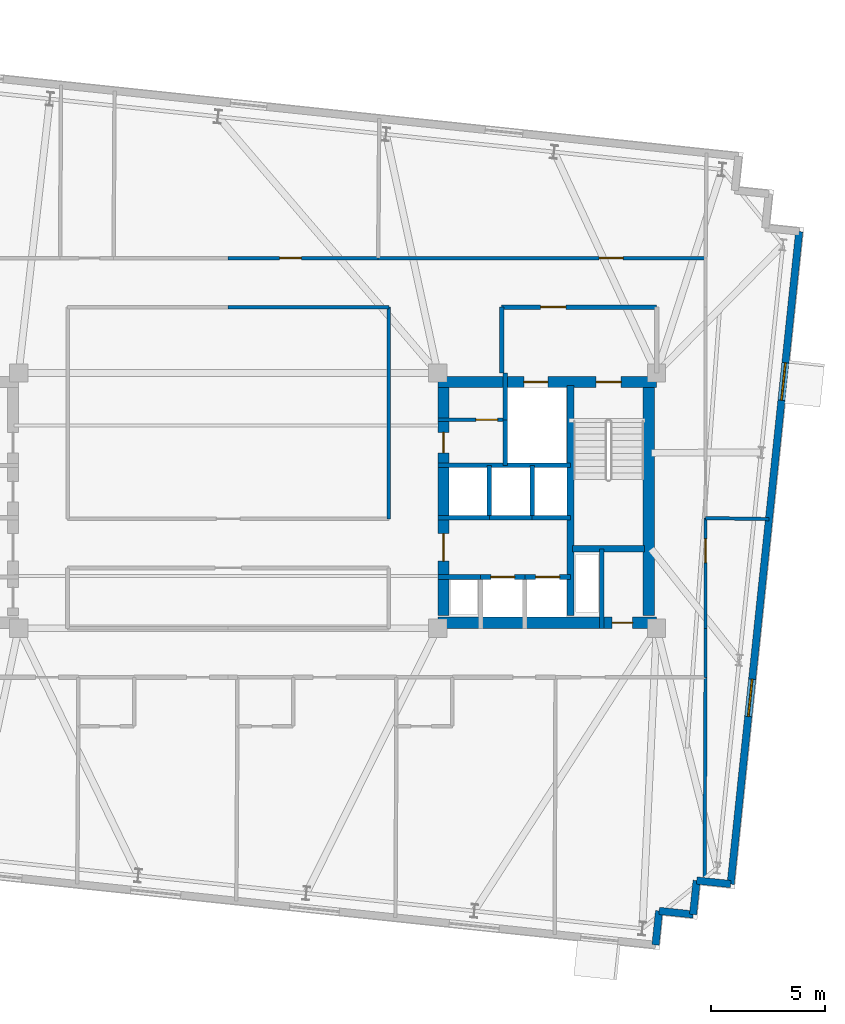
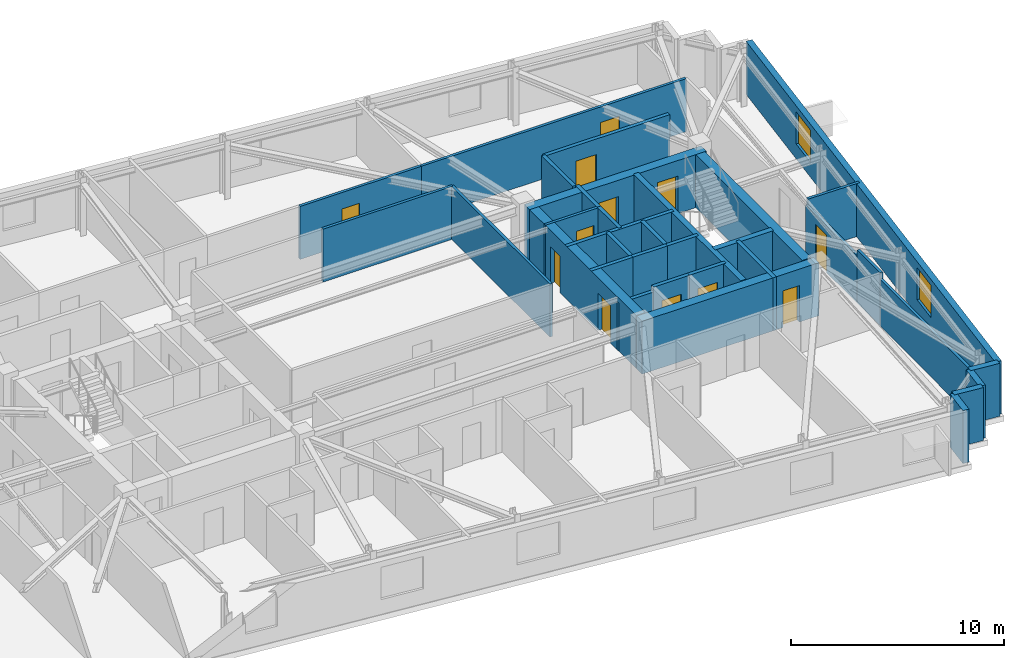
# One storey, part 8 of 11: 34 walls, 12 doors, 2 windows, 14 openings.
"""IFC4 building model written with IfcOpenShell, lengths in metres."""

from ifc_helpers import new_model, si_unit, direction, frame, frame_2d, origin, place, context, subcontext, project, spatial, rectangle, extrude, material, layer, layer_set, type_object, element, fill, save


model = new_model("IFC4")

# Units and contexts
model_context = context("Model", 3, precision=1e-05, world=origin(), true_north=direction((0.0, 1.0)))
body_context = subcontext(model_context, "Body", "Model", "MODEL_VIEW")
ifc_project = project(units=[si_unit("LENGTHUNIT", "METRE"), si_unit("AREAUNIT", "SQUARE_METRE"), si_unit("VOLUMEUNIT", "CUBIC_METRE"), si_unit("PLANEANGLEUNIT", "RADIAN"), si_unit("MASSUNIT", "GRAM", prefix="KILO")], contexts=[model_context])

# Site, building, storey
site_placement = place(None, origin())
site = spatial("IfcSite", under=ifc_project, at=site_placement, CompositionType="ELEMENT")
building_placement = place(site_placement, origin())
building = spatial("IfcBuilding", under=site, at=building_placement, Name="Qobustan Lattice House", CompositionType="ELEMENT")
storey_placement = place(building_placement, frame((0.0, 0.0, 216.5)))
storey = spatial("IfcBuildingStorey", under=building, at=storey_placement, Name="L61", CompositionType="ELEMENT", Elevation=216.5)

# Wall, openings, doors
ifc_material_1 = material(Name="Concrete C50/60", Category="concrete")
ifc_layer_1 = layer(ifc_material_1, 0.5)
ifc_layer_set_1 = layer_set([ifc_layer_1], Name="Concrete C50/60")
wall_type_1 = type_object("IfcWallType", Name="WAL-CORE-500", PredefinedType="SHEAR", material=ifc_layer_set_1)
wall_1_placement = place(storey_placement, frame((9.199951171875, 5.2099609375, 0.0), z_axis=(0.0, 0.0, 1.0), x_axis=(1.0, 0.0, 0.0)))
wall_1 = element("IfcWall", 1, at=wall_1_placement, inside=storey, type_object=wall_type_1, Name="L61 split-core shear wall CE-N", PredefinedType="SHEAR", context=body_context, shape_type="SweptSolid", body=[
    extrude(rectangle(XDim=9.60009765625, YDim=0.5, at=frame_2d((4.800048828125, 0.0))), origin(), (0.0, 0.0, 1.0), 3.0400390625),
])
opening_1_placement = place(wall_1_placement, frame((6.949951171875, 0.0, 0.0)))
opening_1 = element("IfcOpeningElement", 2, at=opening_1_placement, cuts=wall_1, Name="Opening SD-01", PredefinedType="OPENING", context=body_context, shape_type="SweptSolid", body=[
    extrude(rectangle(XDim=1.10009765625, YDim=2.14990234375, at=frame_2d((0.550048828125, 1.074951171875))), frame((0.0, 0.260009765625, 0.0), z_axis=(0.0, -1.0, 0.0), x_axis=(1.0, 0.0, 0.0)), (0.0, 0.0, 1.0), 0.52001953125),
])
opening_2_placement = place(wall_1_placement, frame((3.77490234375, 0.0, 0.0)))
opening_2 = element("IfcOpeningElement", 3, at=opening_2_placement, cuts=wall_1, Name="Opening LD-01", PredefinedType="OPENING", context=body_context, shape_type="SweptSolid", body=[
    extrude(rectangle(XDim=1.050048828125, YDim=2.10009765625, at=frame_2d((0.52490234375, 1.050048828125))), frame((0.0, 0.260009765625, 0.0), z_axis=(0.0, -1.0, 0.0), x_axis=(1.0, 0.0, 0.0)), (0.0, 0.0, 1.0), 0.52001953125),
])
ifc_material_2 = material(Name="Persian walnut timber and steel frame door", Category="steel")
door_type_1 = type_object("IfcDoorType", Name="DOR-LIFT-LD-1050x2100", OperationType="NOTDEFINED", PredefinedType="DOOR", material=ifc_material_2)
door_1_placement = place(opening_2_placement, origin())
door_1 = element("IfcDoor", 4, at=door_1_placement, inside=storey, type_object=door_type_1, Name="L61 firefighting lift FF-E landing door", OperationType="DOUBLE_DOOR_SLIDING", OverallHeight=2.10009765625, OverallWidth=1.050048828125, PredefinedType="DOOR", context=body_context, shape_type="SweptSolid", body=[
    extrude(rectangle(XDim=1.050048828125, YDim=2.10009765625, at=frame_2d((0.52490234375, 1.050048828125))), frame((0.0, 0.02490234375, 0.0), z_axis=(0.0, -1.0, 0.0), x_axis=(1.0, 0.0, 0.0)), (0.0, 0.0, 1.0), 0.050048828125),
])
fill(opening_2, door_1)
ifc_material_3 = material(Name="Persian walnut timber and steel frame door", Category="steel")
door_type_2 = type_object("IfcDoorType", Name="DOR-STAIR-FD-1100x2150", OperationType="NOTDEFINED", PredefinedType="DOOR", material=ifc_material_3)
door_2_placement = place(opening_1_placement, origin())
door_2 = element("IfcDoor", 5, at=door_2_placement, inside=storey, type_object=door_type_2, Name="L61 exit stair ST-E1 fire door", OperationType="SINGLE_SWING_LEFT", OverallHeight=2.14990234375, OverallWidth=1.10009765625, PredefinedType="DOOR", context=body_context, shape_type="SweptSolid", body=[
    extrude(rectangle(XDim=1.10009765625, YDim=2.14990234375, at=frame_2d((0.550048828125, 1.074951171875))), frame((0.0, 0.02490234375, 0.0), z_axis=(0.0, -1.0, 0.0), x_axis=(1.0, 0.0, 0.0)), (0.0, 0.0, 1.0), 0.050048828125),
])
fill(opening_1, door_2)

# Wall, opening, door
wall_2_placement = place(storey_placement, frame((9.199951171875, -5.35009765625, 0.0), z_axis=(0.0, 0.0, 1.0), x_axis=(1.0, 0.0, 0.0)))
wall_2 = element("IfcWall", 6, at=wall_2_placement, inside=storey, type_object=wall_type_1, Name="L61 split-core shear wall CE-S", PredefinedType="SHEAR", context=body_context, shape_type="SweptSolid", body=[
    extrude(rectangle(XDim=9.60009765625, YDim=0.5, at=frame_2d((4.800048828125, 0.0))), origin(), (0.0, 0.0, 1.0), 3.0400390625),
])
opening_3_placement = place(wall_2_placement, frame((7.64990234375, 0.0, 0.0)))
opening_3 = element("IfcOpeningElement", 7, at=opening_3_placement, cuts=wall_2, Name="Opening RD-01", PredefinedType="OPENING", context=body_context, shape_type="SweptSolid", body=[
    extrude(rectangle(XDim=0.89990234375, YDim=2.10009765625, at=frame_2d((0.449951171875, 1.050048828125))), frame((0.0, 0.260009765625, 0.0), z_axis=(0.0, -1.0, 0.0), x_axis=(1.0, 0.0, 0.0)), (0.0, 0.0, 1.0), 0.52001953125),
])
ifc_material_4 = material(Name="Persian walnut timber and steel frame door", Category="steel")
door_type_3 = type_object("IfcDoorType", Name="DOR-RISER-FD-900x2100", OperationType="NOTDEFINED", PredefinedType="DOOR", material=ifc_material_4)
door_3_placement = place(opening_3_placement, origin())
door_3 = element("IfcDoor", 8, at=door_3_placement, inside=storey, type_object=door_type_3, Name="L61 core service riser access door E", OperationType="SINGLE_SWING_LEFT", OverallHeight=2.10009765625, OverallWidth=0.89990234375, PredefinedType="DOOR", context=body_context, shape_type="SweptSolid", body=[
    extrude(rectangle(XDim=0.89990234375, YDim=2.10009765625, at=frame_2d((0.449951171875, 1.050048828125))), frame((0.0, 0.02490234375, 0.0), z_axis=(0.0, -1.0, 0.0), x_axis=(1.0, 0.0, 0.0)), (0.0, 0.0, 1.0), 0.050048828125),
])
fill(opening_3, door_3)

# Wall, openings, doors
wall_3_placement = place(storey_placement, frame((9.449951171875, -5.050048828125, 0.0), z_axis=(0.0, 0.0, 1.0), x_axis=(0.0, 1.0, 0.0)))
wall_3 = element("IfcWall", 9, at=wall_3_placement, inside=storey, type_object=wall_type_1, Name="L61 split-core shear wall CE-W", PredefinedType="SHEAR", context=body_context, shape_type="SweptSolid", body=[
    extrude(rectangle(XDim=10.10009765625, YDim=0.5, at=frame_2d((5.050048828125, 0.0))), origin(), (0.0, 0.0, 1.0), 3.0400390625),
])
opening_4_placement = place(wall_3_placement, frame((7.14990234375, 0.0, 0.0)))
opening_4 = element("IfcOpeningElement", 10, at=opening_4_placement, cuts=wall_3, Name="Opening RD-01", PredefinedType="OPENING", context=body_context, shape_type="SweptSolid", body=[
    extrude(rectangle(XDim=0.89990234375, YDim=2.10009765625, at=frame_2d((0.449951171875, 1.050048828125))), frame((0.0, 0.260009765625, 0.0), z_axis=(0.0, -1.0, 0.0), x_axis=(1.0, 0.0, 0.0)), (0.0, 0.0, 1.0), 0.52001953125),
])
opening_5_placement = place(wall_3_placement, frame((2.39990234375, 0.0, 0.0)))
opening_5 = element("IfcOpeningElement", 11, at=opening_5_placement, cuts=wall_3, Name="Opening FD-01", PredefinedType="OPENING", context=body_context, shape_type="SweptSolid", body=[
    extrude(rectangle(XDim=1.199951171875, YDim=2.14990234375, at=frame_2d((0.60009765625, 1.074951171875))), frame((0.0, 0.260009765625, 0.0), z_axis=(0.0, -1.0, 0.0), x_axis=(1.0, 0.0, 0.0)), (0.0, 0.0, 1.0), 0.52001953125),
])
ifc_material_5 = material(Name="Persian walnut timber and steel frame door", Category="steel")
door_type_4 = type_object("IfcDoorType", Name="DOR-LOBBY-FD-1200x2150", OperationType="NOTDEFINED", PredefinedType="DOOR", material=ifc_material_5)
door_4_placement = place(opening_5_placement, origin())
door_4 = element("IfcDoor", 12, at=door_4_placement, inside=storey, type_object=door_type_4, Name="L61 East passenger lift lobby fire door", OperationType="SINGLE_SWING_LEFT", OverallHeight=2.14990234375, OverallWidth=1.199951171875, PredefinedType="DOOR", context=body_context, shape_type="SweptSolid", body=[
    extrude(rectangle(XDim=1.199951171875, YDim=2.14990234375, at=frame_2d((0.60009765625, 1.074951171875))), frame((0.0, 0.02490234375, 0.0), z_axis=(0.0, -1.0, 0.0), x_axis=(1.0, 0.0, 0.0)), (0.0, 0.0, 1.0), 0.050048828125),
])
fill(opening_5, door_4)
door_5_placement = place(opening_4_placement, origin())
door_5 = element("IfcDoor", 13, at=door_5_placement, inside=storey, type_object=door_type_3, Name="L61 Housekeeping utility foyer fire door", OperationType="SINGLE_SWING_RIGHT", OverallHeight=2.10009765625, OverallWidth=0.89990234375, PredefinedType="DOOR", context=body_context, shape_type="SweptSolid", body=[
    extrude(rectangle(XDim=0.89990234375, YDim=2.10009765625, at=frame_2d((0.449951171875, 1.050048828125))), frame((0.0, 0.02490234375, 0.0), z_axis=(0.0, -1.0, 0.0), x_axis=(1.0, 0.0, 0.0)), (0.0, 0.0, 1.0), 0.050048828125),
])
fill(opening_4, door_5)

# Walls
wall_4_placement = place(storey_placement, frame((18.4599609375, -5.050048828125, 0.0), z_axis=(0.0, 0.0, 1.0), x_axis=(0.0, 1.0, 0.0)))
element("IfcWall", 14, at=wall_4_placement, inside=storey, type_object=wall_type_1, Name="L61 split-core shear wall CE-E", PredefinedType="SHEAR", context=body_context, shape_type="SweptSolid", body=[
    extrude(rectangle(XDim=10.10009765625, YDim=0.5, at=frame_2d((5.050048828125, 0.0))), origin(), (0.0, 0.0, 1.0), 3.0400390625),
])
ifc_material_6 = material(Name="Concrete C50/60", Category="concrete")
ifc_layer_2 = layer(ifc_material_6, 0.280029296875)
ifc_layer_set_2 = layer_set([ifc_layer_2], Name="Concrete C50/60")
wall_type_2 = type_object("IfcWallType", Name="WAL-CORE-SPINE-280", PredefinedType="SHEAR", material=ifc_layer_set_2)
wall_5_placement = place(storey_placement, frame((15.02001953125, -5.050048828125, 0.0), z_axis=(0.0, 0.0, 1.0), x_axis=(0.0, 1.0, 0.0)))
element("IfcWall", 15, at=wall_5_placement, inside=storey, type_object=wall_type_2, Name="L61 split-core shear wall CE-M", PredefinedType="SHEAR", context=body_context, shape_type="SweptSolid", body=[
    extrude(rectangle(XDim=10.10009765625, YDim=0.300048828125, at=frame_2d((5.050048828125, 0.0))), origin(), (0.0, 0.0, 1.0), 3.0400390625),
])
wall_6_placement = place(storey_placement, frame((15.10009765625, -2.110107421875, 0.0), z_axis=(0.0, 0.0, 1.0), x_axis=(1.0, 0.0, 0.0)))
element("IfcWall", 16, at=wall_6_placement, inside=storey, type_object=wall_type_2, Name="L61 split-core shear wall CE-ST", PredefinedType="SHEAR", context=body_context, shape_type="SweptSolid", body=[
    extrude(rectangle(XDim=3.179931640625, YDim=0.300048828125, at=frame_2d((1.58984375, 0.0))), origin(), (0.0, 0.0, 1.0), 3.0400390625),
])

# Wall, openings, windows
ifc_material_7 = material(Name="Precast concrete C40/50", Category="concrete")
ifc_layer_3 = layer(ifc_material_7, 0.320068359375)
ifc_layer_set_3 = layer_set([ifc_layer_3], Name="Precast concrete C40/50")
wall_type_3 = type_object("IfcWallType", Name="WAL-EXT-STONE-320", PredefinedType="SOLIDWALL", material=ifc_layer_set_3)
wall_7_placement = place(storey_placement, frame((25.063232421875, 11.813720703125, 0.0), z_axis=(0.0, 0.0, 1.0), x_axis=(-0.104523275986, -0.99452244056, 0.0)))
wall_7 = element("IfcWall", 17, at=wall_7_placement, inside=storey, type_object=wall_type_3, Name="L61 exterior limestone-clad wall 15", PredefinedType="SOLIDWALL", context=body_context, shape_type="SweptSolid", body=[
    extrude(rectangle(XDim=28.7998046875, YDim=0.320068359375, at=frame_2d((14.39990234375, 0.0))), origin(), (0.0, 0.0, 1.0), 3.0400390625),
])
opening_6_placement = place(wall_7_placement, frame((5.79345703125, 0.0, 0.85009765625)))
opening_6 = element("IfcOpeningElement", 18, at=opening_6_placement, cuts=wall_7, Name="Opening WN-09", PredefinedType="OPENING", context=body_context, shape_type="SweptSolid", body=[
    extrude(rectangle(XDim=1.64990234375, YDim=1.85009765625, at=frame_2d((0.824951171875, 0.925048828125))), frame((0.0, 0.169921875, 0.0), z_axis=(0.0, -1.0, 0.0), x_axis=(1.0, 0.0, 0.0)), (0.0, 0.0, 1.0), 0.340087890625),
])
opening_7_placement = place(wall_7_placement, frame((19.752197265625, 0.0, 0.85009765625)))
opening_7 = element("IfcOpeningElement", 19, at=opening_7_placement, cuts=wall_7, Name="Opening WN-09", PredefinedType="OPENING", context=body_context, shape_type="SweptSolid", body=[
    extrude(rectangle(XDim=1.64990234375, YDim=1.85009765625, at=frame_2d((0.824951171875, 0.925048828125))), frame((0.0, 0.169921875, 0.0), z_axis=(0.0, -1.0, 0.0), x_axis=(1.0, 0.0, 0.0)), (0.0, 0.0, 1.0), 0.340087890625),
])
ifc_material_8 = material(Name="Double-glazed low-E aluminium window", Category="aluminium")
window_type = type_object("IfcWindowType", Name="WIN-STU-1650x1850", PartitioningType="SINGLE_PANEL", PredefinedType="WINDOW", material=ifc_material_8)
window_1_placement = place(opening_6_placement, origin())
window_1 = element("IfcWindow", 20, at=window_1_placement, inside=storey, type_object=window_type, Name="L61 Collaborative tutorial room window", OverallHeight=1.85009765625, OverallWidth=1.64990234375, PartitioningType="SINGLE_PANEL", PredefinedType="WINDOW", context=body_context, shape_type="SweptSolid", body=[
    extrude(rectangle(XDim=1.64990234375, YDim=1.85009765625, at=frame_2d((0.824951171875, 0.925048828125))), frame((0.0, 0.030029296875, 0.0), z_axis=(0.0, -1.0, 0.0), x_axis=(1.0, 0.0, 0.0)), (0.0, 0.0, 1.0), 0.06005859375),
])
fill(opening_6, window_1)
window_2_placement = place(opening_7_placement, origin())
window_2 = element("IfcWindow", 21, at=window_2_placement, inside=storey, type_object=window_type, Name="L61 Fellows reading room window", OverallHeight=1.85009765625, OverallWidth=1.64990234375, PartitioningType="SINGLE_PANEL", PredefinedType="WINDOW", context=body_context, shape_type="SweptSolid", body=[
    extrude(rectangle(XDim=1.64990234375, YDim=1.85009765625, at=frame_2d((0.824951171875, 0.925048828125))), frame((0.0, 0.030029296875, 0.0), z_axis=(0.0, -1.0, 0.0), x_axis=(1.0, 0.0, 0.0)), (0.0, 0.0, 1.0), 0.06005859375),
])
fill(opening_7, window_2)

# Walls
wall_8_placement = place(storey_placement, frame((22.052978515625, -16.828369140625, 0.0), z_axis=(0.0, 0.0, 1.0), x_axis=(-0.994526834051, 0.104481464157, 0.0)))
element("IfcWall", 22, at=wall_8_placement, inside=storey, type_object=wall_type_3, Name="L61 exterior limestone-clad wall 16", PredefinedType="SOLIDWALL", context=body_context, shape_type="SweptSolid", body=[
    extrude(rectangle(XDim=1.500244140625, YDim=0.320068359375, at=frame_2d((0.75, 0.0))), origin(), (0.0, 0.0, 1.0), 3.0400390625),
])
for number, where, z_axis, x_axis, name in (
    (23, (20.56103515625, -16.671630859375, 0.0), (0.0, 0.0, 1.0), (-0.104498377516, -0.994525057048, 0.0), "L61 exterior limestone-clad wall 17"),
    (24, (20.404296875, -18.163330078125, 0.0), (0.0, 0.0, 1.0), (-0.994525057048, 0.104498377516, 0.0), "L61 exterior limestone-clad wall 18"),
    (25, (18.91259765625, -18.006591796875, 0.0), (0.0, 0.0, 1.0), (-0.104498377516, -0.994525057048, 0.0), "L61 exterior limestone-clad wall 19"),
):
    element("IfcWall", number, at=place(storey_placement, frame(where, z_axis=z_axis, x_axis=x_axis)), inside=storey, type_object=wall_type_3, Name=name, PredefinedType="SOLIDWALL", context=body_context, shape_type="SweptSolid", body=[
        extrude(rectangle(XDim=1.5, YDim=0.320068359375, at=frame_2d((0.75, 0.0))), origin(), (0.0, 0.0, 1.0), 3.0400390625),
    ])

# Wall, opening, door
ifc_material_9 = material(Name="Acoustic twin-stud gypsum partition", Category="gypsum")
ifc_layer_4 = layer(ifc_material_9, 0.14990234375)
ifc_layer_set_4 = layer_set([ifc_layer_4], Name="Acoustic twin-stud gypsum partition")
wall_type_4 = type_object("IfcWallType", Name="WAL-PART-150", PredefinedType="PARTITIONING", material=ifc_layer_set_4)
wall_9_placement = place(storey_placement, frame((12.14990234375, 3.550048828125, 0.0), z_axis=(0.0, 0.0, 1.0), x_axis=(-1.0, 0.0, 0.0)))
wall_9 = element("IfcWall", 26, at=wall_9_placement, inside=storey, type_object=wall_type_4, Name="L61 interior partition 21", PredefinedType="PARTITIONING", context=body_context, shape_type="SweptSolid", body=[
    extrude(rectangle(XDim=2.949951171875, YDim=0.14990234375, at=frame_2d((1.47509765625, 0.0))), origin(), (0.0, 0.0, 1.0), 3.0400390625),
])
opening_8_placement = place(wall_9_placement, frame((0.324951171875, 0.0, 0.0)))
opening_8 = element("IfcOpeningElement", 27, at=opening_8_placement, cuts=wall_9, Name="Opening ID-01", PredefinedType="OPENING", context=body_context, shape_type="SweptSolid", body=[
    extrude(rectangle(XDim=0.949951171875, YDim=2.10009765625, at=frame_2d((0.47509765625, 1.050048828125))), frame((0.0, 0.0849609375, 0.0), z_axis=(0.0, -1.0, 0.0), x_axis=(1.0, 0.0, 0.0)), (0.0, 0.0, 1.0), 0.169921875),
])
ifc_material_10 = material(Name="Persian walnut timber and steel frame door", Category="steel")
door_type_5 = type_object("IfcDoorType", Name="DOR-ROOM-950x2100", OperationType="NOTDEFINED", PredefinedType="DOOR", material=ifc_material_10)
door_6_placement = place(opening_8_placement, origin())
door_6 = element("IfcDoor", 28, at=door_6_placement, inside=storey, type_object=door_type_5, Name="L61 Housekeeping utility foyer to Cleaner cupboard door", OperationType="SINGLE_SWING_LEFT", OverallHeight=2.10009765625, OverallWidth=0.949951171875, PredefinedType="DOOR", context=body_context, shape_type="SweptSolid", body=[
    extrude(rectangle(XDim=0.949951171875, YDim=2.10009765625, at=frame_2d((0.47509765625, 1.050048828125))), frame((0.0, 0.02490234375, 0.0), z_axis=(0.0, -1.0, 0.0), x_axis=(1.0, 0.0, 0.0)), (0.0, 0.0, 1.0), 0.050048828125),
])
fill(opening_8, door_6)

wall_10_placement = place(storey_placement, frame((0.0, 10.64990234375, 0.0), z_axis=(0.0, 0.0, 1.0), x_axis=(1.0, 0.0, 0.0)))
wall_10 = element("IfcWall", 29, at=wall_10_placement, inside=storey, type_object=wall_type_4, Name="L61 interior partition 41", PredefinedType="PARTITIONING", context=body_context, shape_type="SweptSolid", body=[
    extrude(rectangle(XDim=6.5830078125, YDim=0.14990234375, at=frame_2d((3.29150390625, 0.0))), origin(), (0.0, 0.0, 1.0), 3.0400390625),
])
opening_9_placement = place(wall_10_placement, frame((2.25732421875, 0.0, 0.0)))
opening_9 = element("IfcOpeningElement", 30, at=opening_9_placement, cuts=wall_10, Name="Opening ID-01", PredefinedType="OPENING", context=body_context, shape_type="SweptSolid", body=[
    extrude(rectangle(XDim=0.949951171875, YDim=2.10009765625, at=frame_2d((0.47509765625, 1.050048828125))), frame((0.0, 0.0849609375, 0.0), z_axis=(0.0, -1.0, 0.0), x_axis=(1.0, 0.0, 0.0)), (0.0, 0.0, 1.0), 0.169921875),
])
door_7_placement = place(opening_9_placement, origin())
door_7 = element("IfcDoor", 31, at=door_7_placement, inside=storey, type_object=door_type_5, Name="L61 North-east floor corridor to Laundry utility room door", OperationType="SINGLE_SWING_RIGHT", OverallHeight=2.10009765625, OverallWidth=0.949951171875, PredefinedType="DOOR", context=body_context, shape_type="SweptSolid", body=[
    extrude(rectangle(XDim=0.949951171875, YDim=2.10009765625, at=frame_2d((0.47509765625, 1.050048828125))), frame((0.0, 0.02490234375, 0.0), z_axis=(0.0, -1.0, 0.0), x_axis=(1.0, 0.0, 0.0)), (0.0, 0.0, 1.0), 0.050048828125),
])
fill(opening_9, door_7)

wall_11_placement = place(storey_placement, frame((6.5830078125, 10.64990234375, 0.0), z_axis=(0.0, 0.0, 1.0), x_axis=(1.0, 0.0, 0.0)))
wall_11 = element("IfcWall", 32, at=wall_11_placement, inside=storey, type_object=wall_type_4, Name="L61 interior partition 42", PredefinedType="PARTITIONING", context=body_context, shape_type="SweptSolid", body=[
    extrude(rectangle(XDim=14.366943359375, YDim=0.14990234375, at=frame_2d((7.18359375, 0.0))), origin(), (0.0, 0.0, 1.0), 3.0400390625),
])
opening_10_placement = place(wall_11_placement, frame((9.69775390625, 0.0, 0.0)))
opening_10 = element("IfcOpeningElement", 33, at=opening_10_placement, cuts=wall_11, Name="Opening ID-02", PredefinedType="OPENING", context=body_context, shape_type="SweptSolid", body=[
    extrude(rectangle(XDim=1.050048828125, YDim=2.14990234375, at=frame_2d((0.52490234375, 1.074951171875))), frame((0.0, 0.0849609375, 0.0), z_axis=(0.0, -1.0, 0.0), x_axis=(1.0, 0.0, 0.0)), (0.0, 0.0, 1.0), 0.169921875),
])
ifc_material_11 = material(Name="Persian walnut timber and steel frame door", Category="steel")
door_type_6 = type_object("IfcDoorType", Name="DOR-STUDY-1050x2150", OperationType="NOTDEFINED", PredefinedType="DOOR", material=ifc_material_11)
door_8_placement = place(opening_10_placement, origin())
door_8 = element("IfcDoor", 34, at=door_8_placement, inside=storey, type_object=door_type_6, Name="L61 North-east floor corridor to Focus study room N3 door", OperationType="SINGLE_SWING_LEFT", OverallHeight=2.14990234375, OverallWidth=1.050048828125, PredefinedType="DOOR", context=body_context, shape_type="SweptSolid", body=[
    extrude(rectangle(XDim=1.050048828125, YDim=2.14990234375, at=frame_2d((0.52490234375, 1.074951171875))), frame((0.0, 0.02490234375, 0.0), z_axis=(0.0, -1.0, 0.0), x_axis=(1.0, 0.0, 0.0)), (0.0, 0.0, 1.0), 0.050048828125),
])
fill(opening_10, door_8)

# Walls
wall_12_placement = place(storey_placement, frame((7.050048828125, 8.5, 0.0), z_axis=(0.0, 0.0, 1.0), x_axis=(-1.0, 0.0, 0.0)))
element("IfcWall", 35, at=wall_12_placement, inside=storey, type_object=wall_type_4, Name="L61 interior partition 43", PredefinedType="PARTITIONING", context=body_context, shape_type="SweptSolid", body=[
    extrude(rectangle(XDim=7.050048828125, YDim=0.14990234375, at=frame_2d((3.52490234375, 0.0))), origin(), (0.0, 0.0, 1.0), 3.0400390625),
])
wall_13_placement = place(storey_placement, frame((20.949951171875, -5.60009765625, 0.0), z_axis=(0.0, 0.0, 1.0), x_axis=(0.0, -1.0, 0.0)))
element("IfcWall", 36, at=wall_13_placement, inside=storey, type_object=wall_type_4, Name="L61 interior partition 51", PredefinedType="PARTITIONING", context=body_context, shape_type="SweptSolid", body=[
    extrude(rectangle(XDim=2.14990234375, YDim=0.14990234375, at=frame_2d((1.074951171875, 0.0))), origin(), (0.0, 0.0, 1.0), 3.0400390625),
])

# Wall, opening, door
wall_14_placement = place(storey_placement, frame((20.949951171875, -0.76318359375, 0.0), z_axis=(0.0, 0.0, 1.0), x_axis=(0.0, -1.0, 0.0)))
wall_14 = element("IfcWall", 37, at=wall_14_placement, inside=storey, type_object=wall_type_4, Name="L61 interior partition 63", PredefinedType="PARTITIONING", context=body_context, shape_type="SweptSolid", body=[
    extrude(rectangle(XDim=4.8369140625, YDim=0.14990234375, at=frame_2d((2.41845703125, 0.0))), origin(), (0.0, 0.0, 1.0), 2.695068359375),
])
opening_11_placement = place(wall_14_placement, frame((0.908203125, 0.0, 0.0)))
opening_11 = element("IfcOpeningElement", 38, at=opening_11_placement, cuts=wall_14, Name="Opening ID-02", PredefinedType="OPENING", context=body_context, shape_type="SweptSolid", body=[
    extrude(rectangle(XDim=1.050048828125, YDim=2.14990234375, at=frame_2d((0.52490234375, 1.074951171875))), frame((0.0, 0.0849609375, 0.0), z_axis=(0.0, -1.0, 0.0), x_axis=(1.0, 0.0, 0.0)), (0.0, 0.0, 1.0), 0.169921875),
])
door_9_placement = place(opening_11_placement, origin())
door_9 = element("IfcDoor", 39, at=door_9_placement, inside=storey, type_object=door_type_6, Name="L61 East wing spine gallery to Fellows reading room door", OperationType="SINGLE_SWING_RIGHT", OverallHeight=2.14990234375, OverallWidth=1.050048828125, PredefinedType="DOOR", context=body_context, shape_type="SweptSolid", body=[
    extrude(rectangle(XDim=1.050048828125, YDim=2.14990234375, at=frame_2d((0.52490234375, 1.074951171875))), frame((0.0, 0.02490234375, 0.0), z_axis=(0.0, -1.0, 0.0), x_axis=(1.0, 0.0, 0.0)), (0.0, 0.0, 1.0), 0.050048828125),
])
fill(opening_11, door_9)

# Walls
wall_15_placement = place(storey_placement, frame((7.050048828125, -0.800048828125, 0.0), z_axis=(0.0, 0.0, 1.0), x_axis=(0.0, 1.0, 0.0)))
element("IfcWall", 40, at=wall_15_placement, inside=storey, type_object=wall_type_4, Name="L61 interior partition 69", PredefinedType="PARTITIONING", context=body_context, shape_type="SweptSolid", body=[
    extrude(rectangle(XDim=9.300048828125, YDim=0.14990234375, at=frame_2d((4.64990234375, 0.0))), origin(), (0.0, 0.0, 1.0), 3.0400390625),
])
wall_16_placement = place(storey_placement, frame((20.949951171875, -0.76318359375, 0.0), z_axis=(0.0, 0.0, 1.0), x_axis=(0.999875696831, -0.015766765259, 0.0)))
element("IfcWall", 41, at=wall_16_placement, inside=storey, type_object=wall_type_4, Name="L61 interior partition 80", PredefinedType="PARTITIONING", context=body_context, shape_type="SweptSolid", body=[
    extrude(rectangle(XDim=2.787109375, YDim=0.14990234375, at=frame_2d((1.3935546875, 0.0))), origin(), (0.0, 0.0, 1.0), 3.0400390625),
])
wall_17_placement = place(storey_placement, frame((20.906005859375, -16.7080078125, 0.0), z_axis=(0.0, 0.0, 1.0), x_axis=(0.004905642486, 0.999987967264, 0.0)))
element("IfcWall", 42, at=wall_17_placement, inside=storey, type_object=wall_type_4, Name="L61 interior partition 81", PredefinedType="PARTITIONING", context=body_context, shape_type="SweptSolid", body=[
    extrude(rectangle(XDim=8.9580078125, YDim=0.14990234375, at=frame_2d((4.47900390625, 0.0))), origin(), (0.0, 0.0, 1.0), 2.6650390625),
])

# Wall, opening, door
ifc_material_12 = material(Name="Two-hour gypsum fireboard acoustic partition", Category="gypsum")
ifc_layer_5 = layer(ifc_material_12, 0.199951171875)
ifc_layer_set_5 = layer_set([ifc_layer_5], Name="Two-hour gypsum fireboard acoustic partition")
wall_type_5 = type_object("IfcWallType", Name="WAL-PROT-200", PredefinedType="PARTITIONING", material=ifc_layer_set_5)
wall_18_placement = place(storey_placement, frame((18.800048828125, 8.5, 0.0), z_axis=(0.0, 0.0, 1.0), x_axis=(-1.0, 0.0, 0.0)))
wall_18 = element("IfcWall", 43, at=wall_18_placement, inside=storey, type_object=wall_type_5, Name="L61 interior partition 18", PredefinedType="PARTITIONING", context=body_context, shape_type="SweptSolid", body=[
    extrude(rectangle(XDim=6.800048828125, YDim=0.199951171875, at=frame_2d((3.39990234375, 0.0))), origin(), (0.0, 0.0, 1.0), 3.0400390625),
])
opening_12_placement = place(wall_18_placement, frame((3.985107421875, 0.0, 0.0)))
opening_12 = element("IfcOpeningElement", 44, at=opening_12_placement, cuts=wall_18, Name="Opening SD-01", PredefinedType="OPENING", context=body_context, shape_type="SweptSolid", body=[
    extrude(rectangle(XDim=1.10009765625, YDim=2.14990234375, at=frame_2d((0.550048828125, 1.074951171875))), frame((0.0, 0.10986328125, 0.0), z_axis=(0.0, -1.0, 0.0), x_axis=(1.0, 0.0, 0.0)), (0.0, 0.0, 1.0), 0.219970703125),
])
door_10_placement = place(opening_12_placement, origin())
door_10 = element("IfcDoor", 45, at=door_10_placement, inside=storey, type_object=door_type_2, Name="L61 East firefighting lift lobby to North-east floor corridor door", OperationType="SINGLE_SWING_RIGHT", OverallHeight=2.14990234375, OverallWidth=1.10009765625, PredefinedType="DOOR", context=body_context, shape_type="SweptSolid", body=[
    extrude(rectangle(XDim=1.10009765625, YDim=2.14990234375, at=frame_2d((0.550048828125, 1.074951171875))), frame((0.0, 0.02490234375, 0.0), z_axis=(0.0, -1.0, 0.0), x_axis=(1.0, 0.0, 0.0)), (0.0, 0.0, 1.0), 0.050048828125),
])
fill(opening_12, door_10)

# Walls
wall_19_placement = place(storey_placement, frame((12.0, 8.5, 0.0), z_axis=(0.0, 0.0, 1.0), x_axis=(0.0, -1.0, 0.0)))
element("IfcWall", 46, at=wall_19_placement, inside=storey, type_object=wall_type_5, Name="L61 interior partition 20", PredefinedType="PARTITIONING", context=body_context, shape_type="SweptSolid", body=[
    extrude(rectangle(XDim=2.89990234375, YDim=0.199951171875, at=frame_2d((1.449951171875, 0.0))), origin(), (0.0, 0.0, 1.0), 3.0400390625),
])
ifc_material_13 = material(Name="Concrete C40/50", Category="concrete")
ifc_layer_6 = layer(ifc_material_13, 0.199951171875)
ifc_layer_set_6 = layer_set([ifc_layer_6], Name="Concrete C40/50")
wall_type_6 = type_object("IfcWallType", Name="WAL-SHAFT-200", PredefinedType="PARTITIONING", material=ifc_layer_set_6)
wall_20_placement = place(storey_placement, frame((16.39990234375, -2.110107421875, 0.0), z_axis=(0.0, 0.0, 1.0), x_axis=(0.0, -1.0, 0.0)))
element("IfcWall", 47, at=wall_20_placement, inside=storey, type_object=wall_type_6, Name="L61 interior partition 15", PredefinedType="PARTITIONING", context=body_context, shape_type="SweptSolid", body=[
    extrude(rectangle(XDim=3.489990234375, YDim=0.199951171875, at=frame_2d((1.7451171875, 0.0))), origin(), (0.0, 0.0, 1.0), 3.0400390625),
])
wall_21_placement = place(storey_placement, frame((12.14990234375, 3.550048828125, 0.0), z_axis=(0.0, 0.0, 1.0), x_axis=(0.0, -1.0, 0.0)))
element("IfcWall", 48, at=wall_21_placement, inside=storey, type_object=wall_type_6, Name="L61 interior partition 16", PredefinedType="PARTITIONING", context=body_context, shape_type="SweptSolid", body=[
    extrude(rectangle(XDim=2.0, YDim=0.199951171875, at=frame_2d((1.0, 0.0))), origin(), (0.0, 0.0, 1.0), 3.0400390625),
])
wall_22_placement = place(storey_placement, frame((12.14990234375, 5.60009765625, 0.0), z_axis=(0.0, 0.0, 1.0), x_axis=(0.0, -1.0, 0.0)))
element("IfcWall", 49, at=wall_22_placement, inside=storey, type_object=wall_type_6, Name="L61 interior partition 17", PredefinedType="PARTITIONING", context=body_context, shape_type="SweptSolid", body=[
    extrude(rectangle(XDim=2.050048828125, YDim=0.199951171875, at=frame_2d((1.02490234375, 0.0))), origin(), (0.0, 0.0, 1.0), 3.0400390625),
])
wall_23_placement = place(storey_placement, frame((9.199951171875, -3.35009765625, 0.0), z_axis=(0.0, 0.0, 1.0), x_axis=(1.0, 0.0, 0.0)))
element("IfcWall", 50, at=wall_23_placement, inside=storey, type_object=wall_type_6, Name="L61 interior partition 23", PredefinedType="PARTITIONING", context=body_context, shape_type="SweptSolid", body=[
    extrude(rectangle(XDim=1.880126953125, YDim=0.199951171875, at=frame_2d((0.93994140625, 0.0))), origin(), (0.0, 0.0, 1.0), 2.7548828125),
])

# Wall, opening, door
wall_24_placement = place(storey_placement, frame((11.080078125, -3.35009765625, 0.0), z_axis=(0.0, 0.0, 1.0), x_axis=(1.0, 0.0, 0.0)))
wall_24 = element("IfcWall", 51, at=wall_24_placement, inside=storey, type_object=wall_type_6, Name="L61 interior partition 24", PredefinedType="PARTITIONING", context=body_context, shape_type="SweptSolid", body=[
    extrude(rectangle(XDim=1.93994140625, YDim=0.199951171875, at=frame_2d((0.969970703125, 0.0))), origin(), (0.0, 0.0, 1.0), 3.0400390625),
])
opening_13_placement = place(wall_24_placement, frame((0.445068359375, 0.0, 0.0)))
opening_13 = element("IfcOpeningElement", 52, at=opening_13_placement, cuts=wall_24, Name="Opening LD-01", PredefinedType="OPENING", context=body_context, shape_type="SweptSolid", body=[
    extrude(rectangle(XDim=1.050048828125, YDim=2.10009765625, at=frame_2d((0.52490234375, 1.050048828125))), frame((0.0, 0.10986328125, 0.0), z_axis=(0.0, -1.0, 0.0), x_axis=(1.0, 0.0, 0.0)), (0.0, 0.0, 1.0), 0.219970703125),
])
door_11_placement = place(opening_13_placement, origin())
door_11 = element("IfcDoor", 53, at=door_11_placement, inside=storey, type_object=door_type_1, Name="L61 lift landing door", OperationType="DOUBLE_DOOR_SLIDING", OverallHeight=2.10009765625, OverallWidth=1.050048828125, PredefinedType="DOOR", context=body_context, shape_type="SweptSolid", body=[
    extrude(rectangle(XDim=1.050048828125, YDim=2.10009765625, at=frame_2d((0.52490234375, 1.050048828125))), frame((0.0, 0.02490234375, 0.0), z_axis=(0.0, -1.0, 0.0), x_axis=(1.0, 0.0, 0.0)), (0.0, 0.0, 1.0), 0.050048828125),
])
fill(opening_13, door_11)

wall_25_placement = place(storey_placement, frame((13.02001953125, -3.35009765625, 0.0), z_axis=(0.0, 0.0, 1.0), x_axis=(1.0, 0.0, 0.0)))
wall_25 = element("IfcWall", 54, at=wall_25_placement, inside=storey, type_object=wall_type_6, Name="L61 interior partition 25", PredefinedType="PARTITIONING", context=body_context, shape_type="SweptSolid", body=[
    extrude(rectangle(XDim=2.0, YDim=0.199951171875, at=frame_2d((1.0, 0.0))), origin(), (0.0, 0.0, 1.0), 3.0400390625),
])
opening_14_placement = place(wall_25_placement, frame((0.47509765625, 0.0, 0.0)))
opening_14 = element("IfcOpeningElement", 55, at=opening_14_placement, cuts=wall_25, Name="Opening LD-01", PredefinedType="OPENING", context=body_context, shape_type="SweptSolid", body=[
    extrude(rectangle(XDim=1.050048828125, YDim=2.10009765625, at=frame_2d((0.52490234375, 1.050048828125))), frame((0.0, 0.10986328125, 0.0), z_axis=(0.0, -1.0, 0.0), x_axis=(1.0, 0.0, 0.0)), (0.0, 0.0, 1.0), 0.219970703125),
])
door_12_placement = place(opening_14_placement, origin())
door_12 = element("IfcDoor", 56, at=door_12_placement, inside=storey, type_object=door_type_1, Name="L61 lift landing door", OperationType="DOUBLE_DOOR_SLIDING", OverallHeight=2.10009765625, OverallWidth=1.050048828125, PredefinedType="DOOR", context=body_context, shape_type="SweptSolid", body=[
    extrude(rectangle(XDim=1.050048828125, YDim=2.10009765625, at=frame_2d((0.52490234375, 1.050048828125))), frame((0.0, 0.02490234375, 0.0), z_axis=(0.0, -1.0, 0.0), x_axis=(1.0, 0.0, 0.0)), (0.0, 0.0, 1.0), 0.050048828125),
])
fill(opening_14, door_12)

# Walls
wall_26_placement = place(storey_placement, frame((11.4599609375, -0.75, 0.0), z_axis=(0.0, 0.0, 1.0), x_axis=(-1.0, 0.0, 0.0)))
element("IfcWall", 57, at=wall_26_placement, inside=storey, type_object=wall_type_6, Name="L61 interior partition 26", PredefinedType="PARTITIONING", context=body_context, shape_type="SweptSolid", body=[
    extrude(rectangle(XDim=2.260009765625, YDim=0.199951171875, at=frame_2d((1.1298828125, 0.0))), origin(), (0.0, 0.0, 1.0), 3.0400390625),
])
wall_27_placement = place(storey_placement, frame((13.340087890625, -0.75, 0.0), z_axis=(0.0, 0.0, 1.0), x_axis=(-1.0, 0.0, 0.0)))
element("IfcWall", 58, at=wall_27_placement, inside=storey, type_object=wall_type_6, Name="L61 interior partition 27", PredefinedType="PARTITIONING", context=body_context, shape_type="SweptSolid", body=[
    extrude(rectangle(XDim=1.880126953125, YDim=0.199951171875, at=frame_2d((0.93994140625, 0.0))), origin(), (0.0, 0.0, 1.0), 3.0400390625),
])
wall_28_placement = place(storey_placement, frame((15.02001953125, -0.75, 0.0), z_axis=(0.0, 0.0, 1.0), x_axis=(-1.0, 0.0, 0.0)))
element("IfcWall", 59, at=wall_28_placement, inside=storey, type_object=wall_type_6, Name="L61 interior partition 28", PredefinedType="PARTITIONING", context=body_context, shape_type="SweptSolid", body=[
    extrude(rectangle(XDim=1.679931640625, YDim=0.199951171875, at=frame_2d((0.83984375, 0.0))), origin(), (0.0, 0.0, 1.0), 3.0400390625),
])
for number, where, z_axis, x_axis, name in (
    (60, (11.4599609375, -0.75, 0.0), (0.0, 0.0, 1.0), (0.0, 1.0, 0.0), "L61 interior partition 32"),
    (61, (13.340087890625, -0.75, 0.0), (0.0, 0.0, 1.0), (0.0, 1.0, 0.0), "L61 interior partition 33"),
):
    element("IfcWall", number, at=place(storey_placement, frame(where, z_axis=z_axis, x_axis=x_axis)), inside=storey, type_object=wall_type_6, Name=name, PredefinedType="PARTITIONING", context=body_context, shape_type="SweptSolid", body=[
        extrude(rectangle(XDim=2.300048828125, YDim=0.199951171875, at=frame_2d((1.14990234375, 0.0))), origin(), (0.0, 0.0, 1.0), 3.0400390625),
    ])
wall_29_placement = place(storey_placement, frame((9.199951171875, 1.550048828125, 0.0), z_axis=(0.0, 0.0, 1.0), x_axis=(1.0, 0.0, 0.0)))
element("IfcWall", 62, at=wall_29_placement, inside=storey, type_object=wall_type_6, Name="L61 interior partition 105", PredefinedType="PARTITIONING", context=body_context, shape_type="SweptSolid", body=[
    extrude(rectangle(XDim=5.820068359375, YDim=0.199951171875, at=frame_2d((2.91015625, 0.0))), origin(), (0.0, 0.0, 1.0), 3.0400390625),
])

save(model, "model.ifc")
